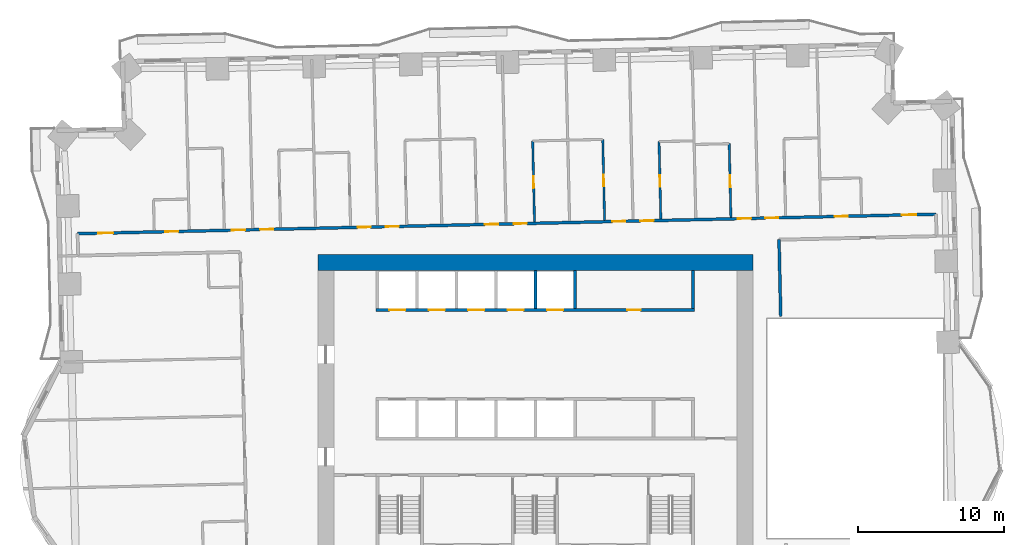
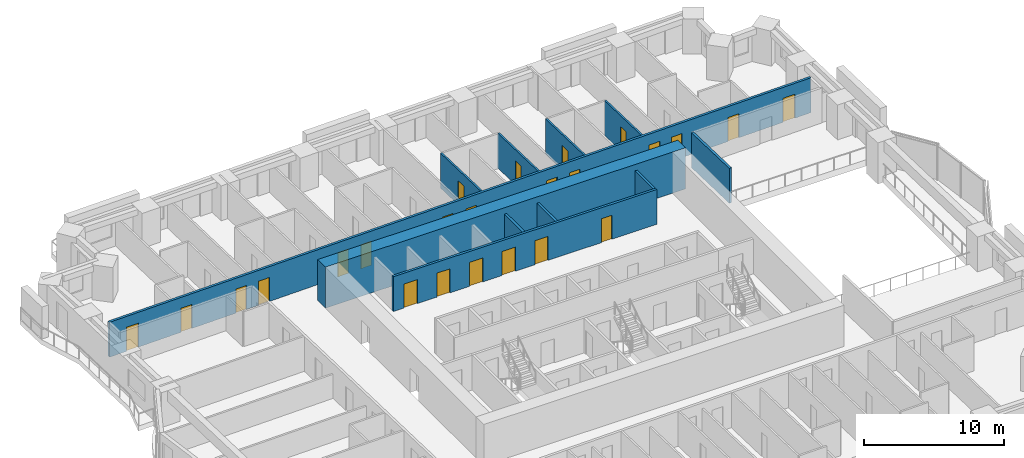
# One storey, part 10 of 16: 24 doors, 11 walls, 24 openings.
"""IFC4 building model written with IfcOpenShell, lengths in metres."""

from ifc_helpers import new_model, si_unit, direction, frame, frame_2d, origin, place, context, subcontext, project, spatial, rectangle, extrude, material, layer, layer_set, type_object, element, fill, save


model = new_model("IFC4")

# Units and contexts
model_context = context("Model", 3, precision=1e-05, world=origin(), true_north=direction((0.0, 1.0)))
body_context = subcontext(model_context, "Body", "Model", "MODEL_VIEW")
ifc_project = project(units=[si_unit("LENGTHUNIT", "METRE"), si_unit("AREAUNIT", "SQUARE_METRE"), si_unit("VOLUMEUNIT", "CUBIC_METRE"), si_unit("PLANEANGLEUNIT", "RADIAN"), si_unit("MASSUNIT", "GRAM", prefix="KILO")], contexts=[model_context])

# Site, building, storey
site_placement = place(None, origin())
site = spatial("IfcSite", under=ifc_project, at=site_placement, CompositionType="ELEMENT")
building_placement = place(site_placement, origin())
building = spatial("IfcBuilding", under=site, at=building_placement, Name="Mangrove Gate Tower", CompositionType="ELEMENT")
storey_placement = place(building_placement, frame((0.0, 0.0, 37.699951171875)))
storey = spatial("IfcBuildingStorey", under=building, at=storey_placement, Name="L08", CompositionType="ELEMENT", Elevation=37.699951171875)

# Wall
ifc_material_1 = material(Name="Concrete C32/40", Category="concrete")
ifc_layer_1 = layer(ifc_material_1, 0.199951171875)
ifc_layer_set_1 = layer_set([ifc_layer_1], Name="Core room wall 200 C32/40")
wall_type_1 = type_object("IfcWallType", Name="Core room wall 200 C32/40", PredefinedType="STANDARD", material=ifc_layer_set_1)
wall_1_placement = place(storey_placement, frame((10.800048828125, 8.199951171875, 0.0), z_axis=(0.0, 0.0, 1.0), x_axis=(0.0, 1.0, 0.0)))
element("IfcWall", 1, at=wall_1_placement, inside=storey, type_object=wall_type_1, Name="WALL-L08-CORE-33", PredefinedType="STANDARD", context=body_context, shape_type="SweptSolid", body=[
    extrude(rectangle(XDim=2.60009765625, YDim=0.199951171875, at=frame_2d((1.300048828125, 0.0))), origin(), (0.0, 0.0, 1.0), 3.050048828125),
])

# Wall, openings, doors
ifc_material_2 = material(Name="Concrete C70/85", Category="concrete")
ifc_layer_2 = layer(ifc_material_2, 0.199951171875)
ifc_layer_set_2 = layer_set([ifc_layer_2], Name="Core shaft wall 200 C70/85")
wall_type_2 = type_object("IfcWallType", Name="Core shaft wall 200 C70/85", PredefinedType="SHEAR", material=ifc_layer_set_2)
wall_2_placement = place(storey_placement, frame((-10.89990234375, 8.10009765625, 0.0), z_axis=(0.0, 0.0, 1.0), x_axis=(1.0, 0.0, 0.0)))
wall_2 = element("IfcWall", 2, at=wall_2_placement, inside=storey, type_object=wall_type_2, Name="WALL-L08-CORE-8", PredefinedType="SHEAR", context=body_context, shape_type="SweptSolid", body=[
    extrude(rectangle(XDim=21.7998046875, YDim=0.199951171875, at=frame_2d((10.89990234375, 0.0))), origin(), (0.0, 0.0, 1.0), 3.050048828125),
])
opening_1_placement = place(wall_2_placement, frame((0.89990234375, 0.0, 0.0)))
opening_1 = element("IfcOpeningElement", 3, at=opening_1_placement, cuts=wall_2, Name="Opening LD", PredefinedType="OPENING", context=body_context, shape_type="SweptSolid", body=[
    extrude(rectangle(XDim=1.10009765625, YDim=2.10009765625, at=frame_2d((0.550048828125, 1.050048828125))), frame((0.0, 0.10986328125, 0.0), z_axis=(0.0, -1.0, 0.0), x_axis=(1.0, 0.0, 0.0)), (0.0, 0.0, 1.0), 0.219970703125),
])
opening_2_placement = place(wall_2_placement, frame((3.60009765625, 0.0, 0.0)))
opening_2 = element("IfcOpeningElement", 4, at=opening_2_placement, cuts=wall_2, Name="Opening LD", PredefinedType="OPENING", context=body_context, shape_type="SweptSolid", body=[
    extrude(rectangle(XDim=1.10009765625, YDim=2.10009765625, at=frame_2d((0.550048828125, 1.050048828125))), frame((0.0, 0.10986328125, 0.0), z_axis=(0.0, -1.0, 0.0), x_axis=(1.0, 0.0, 0.0)), (0.0, 0.0, 1.0), 0.219970703125),
])
opening_3_placement = place(wall_2_placement, frame((6.300048828125, 0.0, 0.0)))
opening_3 = element("IfcOpeningElement", 5, at=opening_3_placement, cuts=wall_2, Name="Opening LD", PredefinedType="OPENING", context=body_context, shape_type="SweptSolid", body=[
    extrude(rectangle(XDim=1.10009765625, YDim=2.10009765625, at=frame_2d((0.550048828125, 1.050048828125))), frame((0.0, 0.10986328125, 0.0), z_axis=(0.0, -1.0, 0.0), x_axis=(1.0, 0.0, 0.0)), (0.0, 0.0, 1.0), 0.219970703125),
])
opening_4_placement = place(wall_2_placement, frame((9.0, 0.0, 0.0)))
opening_4 = element("IfcOpeningElement", 6, at=opening_4_placement, cuts=wall_2, Name="Opening LD", PredefinedType="OPENING", context=body_context, shape_type="SweptSolid", body=[
    extrude(rectangle(XDim=1.10009765625, YDim=2.10009765625, at=frame_2d((0.550048828125, 1.050048828125))), frame((0.0, 0.10986328125, 0.0), z_axis=(0.0, -1.0, 0.0), x_axis=(1.0, 0.0, 0.0)), (0.0, 0.0, 1.0), 0.219970703125),
])
opening_5_placement = place(wall_2_placement, frame((11.699951171875, 0.0, 0.0)))
opening_5 = element("IfcOpeningElement", 7, at=opening_5_placement, cuts=wall_2, Name="Opening LD", PredefinedType="OPENING", context=body_context, shape_type="SweptSolid", body=[
    extrude(rectangle(XDim=1.10009765625, YDim=2.10009765625, at=frame_2d((0.550048828125, 1.050048828125))), frame((0.0, 0.10986328125, 0.0), z_axis=(0.0, -1.0, 0.0), x_axis=(1.0, 0.0, 0.0)), (0.0, 0.0, 1.0), 0.219970703125),
])
opening_6_placement = place(wall_2_placement, frame((17.199951171875, 0.0, 0.0)))
opening_6 = element("IfcOpeningElement", 8, at=opening_6_placement, cuts=wall_2, Name="Opening KD", PredefinedType="OPENING", context=body_context, shape_type="SweptSolid", body=[
    extrude(rectangle(XDim=0.89990234375, YDim=2.10009765625, at=frame_2d((0.449951171875, 1.050048828125))), frame((0.0, 0.10986328125, 0.0), z_axis=(0.0, -1.0, 0.0), x_axis=(1.0, 0.0, 0.0)), (0.0, 0.0, 1.0), 0.219970703125),
])
ifc_material_3 = material(Name="Fire-rated steel door set", Category="steel")
door_type_1 = type_object("IfcDoorType", Name="Core room door FD30S 900x2100", OperationType="SINGLE_SWING_RIGHT", PredefinedType="DOOR", material=ifc_material_3)
door_1_placement = place(opening_6_placement, origin())
door_1 = element("IfcDoor", 9, at=door_1_placement, inside=storey, type_object=door_type_1, Name="Core room door Refuse store", OperationType="SINGLE_SWING_RIGHT", OverallHeight=2.10009765625, OverallWidth=0.89990234375, PredefinedType="DOOR", context=body_context, shape_type="SweptSolid", body=[
    extrude(rectangle(XDim=0.89990234375, YDim=2.10009765625, at=frame_2d((0.449951171875, 1.050048828125))), frame((0.0, 0.02490234375, 0.0), z_axis=(0.0, -1.0, 0.0), x_axis=(1.0, 0.0, 0.0)), (0.0, 0.0, 1.0), 0.050048828125),
])
fill(opening_6, door_1)
ifc_material_4 = material(Name="Stainless steel 316", Category="steel")
door_type_2 = type_object("IfcDoorType", Name="Lift landing door 1100x2100", OperationType="SLIDING_TO_LEFT", PredefinedType="DOOR", material=ifc_material_4)
door_2_placement = place(opening_1_placement, origin())
door_2 = element("IfcDoor", 10, at=door_2_placement, inside=storey, type_object=door_type_2, Name="Landing door LD P06", OperationType="SLIDING_TO_LEFT", OverallHeight=2.10009765625, OverallWidth=1.10009765625, PredefinedType="DOOR", context=body_context, shape_type="SweptSolid", body=[
    extrude(rectangle(XDim=1.10009765625, YDim=2.10009765625, at=frame_2d((0.550048828125, 1.050048828125))), frame((0.0, 0.02490234375, 0.0), z_axis=(0.0, -1.0, 0.0), x_axis=(1.0, 0.0, 0.0)), (0.0, 0.0, 1.0), 0.050048828125),
])
fill(opening_1, door_2)
door_3_placement = place(opening_2_placement, origin())
door_3 = element("IfcDoor", 11, at=door_3_placement, inside=storey, type_object=door_type_2, Name="Landing door LD P07", OperationType="SLIDING_TO_LEFT", OverallHeight=2.10009765625, OverallWidth=1.10009765625, PredefinedType="DOOR", context=body_context, shape_type="SweptSolid", body=[
    extrude(rectangle(XDim=1.10009765625, YDim=2.10009765625, at=frame_2d((0.550048828125, 1.050048828125))), frame((0.0, 0.02490234375, 0.0), z_axis=(0.0, -1.0, 0.0), x_axis=(1.0, 0.0, 0.0)), (0.0, 0.0, 1.0), 0.050048828125),
])
fill(opening_2, door_3)
door_4_placement = place(opening_3_placement, origin())
door_4 = element("IfcDoor", 12, at=door_4_placement, inside=storey, type_object=door_type_2, Name="Landing door LD P08", OperationType="SLIDING_TO_LEFT", OverallHeight=2.10009765625, OverallWidth=1.10009765625, PredefinedType="DOOR", context=body_context, shape_type="SweptSolid", body=[
    extrude(rectangle(XDim=1.10009765625, YDim=2.10009765625, at=frame_2d((0.550048828125, 1.050048828125))), frame((0.0, 0.02490234375, 0.0), z_axis=(0.0, -1.0, 0.0), x_axis=(1.0, 0.0, 0.0)), (0.0, 0.0, 1.0), 0.050048828125),
])
fill(opening_3, door_4)
door_5_placement = place(opening_4_placement, origin())
door_5 = element("IfcDoor", 13, at=door_5_placement, inside=storey, type_object=door_type_2, Name="Landing door LD P09", OperationType="SLIDING_TO_LEFT", OverallHeight=2.10009765625, OverallWidth=1.10009765625, PredefinedType="DOOR", context=body_context, shape_type="SweptSolid", body=[
    extrude(rectangle(XDim=1.10009765625, YDim=2.10009765625, at=frame_2d((0.550048828125, 1.050048828125))), frame((0.0, 0.02490234375, 0.0), z_axis=(0.0, -1.0, 0.0), x_axis=(1.0, 0.0, 0.0)), (0.0, 0.0, 1.0), 0.050048828125),
])
fill(opening_4, door_5)
door_6_placement = place(opening_5_placement, origin())
door_6 = element("IfcDoor", 14, at=door_6_placement, inside=storey, type_object=door_type_2, Name="Landing door LD P10", OperationType="SLIDING_TO_LEFT", OverallHeight=2.10009765625, OverallWidth=1.10009765625, PredefinedType="DOOR", context=body_context, shape_type="SweptSolid", body=[
    extrude(rectangle(XDim=1.10009765625, YDim=2.10009765625, at=frame_2d((0.550048828125, 1.050048828125))), frame((0.0, 0.02490234375, 0.0), z_axis=(0.0, -1.0, 0.0), x_axis=(1.0, 0.0, 0.0)), (0.0, 0.0, 1.0), 0.050048828125),
])
fill(opening_5, door_6)

# Walls
for number, where, z_axis, x_axis, name in (
    (15, (0.0, 8.199951171875, 0.0), (0.0, 0.0, 1.0), (0.0, 1.0, 0.0), "WALL-L08-CORE-31"),
    (16, (2.699951171875, 8.199951171875, 0.0), (0.0, 0.0, 1.0), (0.0, 1.0, 0.0), "WALL-L08-CORE-32"),
):
    element("IfcWall", number, at=place(storey_placement, frame(where, z_axis=z_axis, x_axis=x_axis)), inside=storey, type_object=wall_type_2, Name=name, PredefinedType="SHEAR", context=body_context, shape_type="SweptSolid", body=[
        extrude(rectangle(XDim=2.60009765625, YDim=0.199951171875, at=frame_2d((1.300048828125, 0.0))), origin(), (0.0, 0.0, 1.0), 3.050048828125),
    ])
ifc_material_5 = material(Name="Concrete C70/85", Category="concrete")
ifc_layer_3 = layer(ifc_material_5, 1.10009765625)
ifc_layer_set_3 = layer_set([ifc_layer_3], Name="Core wall 1100 C70/85")
wall_type_3 = type_object("IfcWallType", Name="Core wall 1100 C70/85", PredefinedType="SHEAR", material=ifc_layer_set_3)
wall_3_placement = place(storey_placement, frame((-14.89990234375, 11.35009765625, 0.0), z_axis=(0.0, 0.0, 1.0), x_axis=(1.0, 0.0, 0.0)))
element("IfcWall", 17, at=wall_3_placement, inside=storey, type_object=wall_type_3, Name="WALL-L08-CORE-2", PredefinedType="SHEAR", context=body_context, shape_type="SweptSolid", body=[
    extrude(rectangle(XDim=29.7998046875, YDim=1.10009765625, at=frame_2d((14.89990234375, 0.0))), origin(), (0.0, 0.0, 1.0), 3.60009765625),
])
ifc_material_6 = material(Name="Gypsum board on steel stud, EI 60", Category="steel")
ifc_layer_4 = layer(ifc_material_6, 0.199951171875)
ifc_layer_set_4 = layer_set([ifc_layer_4], Name="Corridor wall EI 60")
wall_type_4 = type_object("IfcWallType", Name="Corridor wall EI 60", PredefinedType="PARTITIONING", material=ifc_layer_set_4)
wall_4_placement = place(storey_placement, frame((16.802978515625, 7.675048828125, 0.0), z_axis=(0.0, 0.0, 1.0), x_axis=(-0.022667483124, 0.999743059595, 0.0)))
element("IfcWall", 18, at=wall_4_placement, inside=storey, type_object=wall_type_4, Name="WALL-L08-047", PredefinedType="PARTITIONING", context=body_context, shape_type="SweptSolid", body=[
    extrude(rectangle(XDim=5.245361328125, YDim=0.199951171875, at=frame_2d((2.62255859375, 0.0))), origin(), (0.0, 0.0, 1.0), 3.050048828125),
])

# Wall, openings, doors
wall_5_placement = place(storey_placement, frame((-31.346923828125, 13.3291015625, 0.0), z_axis=(0.0, 0.0, 1.0), x_axis=(0.999742613079, 0.022687168058, 0.0)))
wall_5 = element("IfcWall", 19, at=wall_5_placement, inside=storey, type_object=wall_type_4, Name="WALL-L08-056", PredefinedType="PARTITIONING", context=body_context, shape_type="SweptSolid", body=[
    extrude(rectangle(XDim=58.799072265625, YDim=0.199951171875, at=frame_2d((29.3994140625, 0.0))), origin(), (0.0, 0.0, 1.0), 3.050048828125),
])
opening_7_placement = place(wall_5_placement, frame((56.449951171875, 0.0, 0.0)))
opening_7 = element("IfcOpeningElement", 20, at=opening_7_placement, cuts=wall_5, Name="Opening AD", PredefinedType="OPENING", context=body_context, shape_type="SweptSolid", body=[
    extrude(rectangle(XDim=1.0, YDim=2.10009765625, at=frame_2d((0.5, 1.050048828125))), frame((0.0, 0.10986328125, 0.0), z_axis=(0.0, -1.0, 0.0), x_axis=(1.0, 0.0, 0.0)), (0.0, 0.0, 1.0), 0.219970703125),
])
opening_8_placement = place(wall_5_placement, frame((51.85009765625, 0.0, 0.0)))
opening_8 = element("IfcOpeningElement", 21, at=opening_8_placement, cuts=wall_5, Name="Opening SD", PredefinedType="OPENING", context=body_context, shape_type="SweptSolid", body=[
    extrude(rectangle(XDim=0.89990234375, YDim=2.10009765625, at=frame_2d((0.449951171875, 1.050048828125))), frame((0.0, 0.10986328125, 0.0), z_axis=(0.0, -1.0, 0.0), x_axis=(1.0, 0.0, 0.0)), (0.0, 0.0, 1.0), 0.219970703125),
])
opening_9_placement = place(wall_5_placement, frame((47.10009765625, 0.0, 0.0)))
opening_9 = element("IfcOpeningElement", 22, at=opening_9_placement, cuts=wall_5, Name="Opening BD", PredefinedType="OPENING", context=body_context, shape_type="SweptSolid", body=[
    extrude(rectangle(XDim=0.89990234375, YDim=2.10009765625, at=frame_2d((0.449951171875, 1.050048828125))), frame((0.0, 0.10986328125, 0.0), z_axis=(0.0, -1.0, 0.0), x_axis=(1.0, 0.0, 0.0)), (0.0, 0.0, 1.0), 0.219970703125),
])
opening_10_placement = place(wall_5_placement, frame((45.22509765625, 0.0, 0.0)))
opening_10 = element("IfcOpeningElement", 23, at=opening_10_placement, cuts=wall_5, Name="Opening BD", PredefinedType="OPENING", context=body_context, shape_type="SweptSolid", body=[
    extrude(rectangle(XDim=0.89990234375, YDim=2.10009765625, at=frame_2d((0.449951171875, 1.050048828125))), frame((0.0, 0.10986328125, 0.0), z_axis=(0.0, -1.0, 0.0), x_axis=(1.0, 0.0, 0.0)), (0.0, 0.0, 1.0), 0.219970703125),
])
opening_11_placement = place(wall_5_placement, frame((38.550048828125, 0.0, 0.0)))
opening_11 = element("IfcOpeningElement", 24, at=opening_11_placement, cuts=wall_5, Name="Opening BD", PredefinedType="OPENING", context=body_context, shape_type="SweptSolid", body=[
    extrude(rectangle(XDim=0.89990234375, YDim=2.10009765625, at=frame_2d((0.449951171875, 1.050048828125))), frame((0.0, 0.10986328125, 0.0), z_axis=(0.0, -1.0, 0.0), x_axis=(1.0, 0.0, 0.0)), (0.0, 0.0, 1.0), 0.219970703125),
])
opening_12_placement = place(wall_5_placement, frame((36.625, 0.0, 0.0)))
opening_12 = element("IfcOpeningElement", 25, at=opening_12_placement, cuts=wall_5, Name="Opening BD", PredefinedType="OPENING", context=body_context, shape_type="SweptSolid", body=[
    extrude(rectangle(XDim=0.89990234375, YDim=2.10009765625, at=frame_2d((0.449951171875, 1.050048828125))), frame((0.0, 0.10986328125, 0.0), z_axis=(0.0, -1.0, 0.0), x_axis=(1.0, 0.0, 0.0)), (0.0, 0.0, 1.0), 0.219970703125),
])
opening_13_placement = place(wall_5_placement, frame((29.875, 0.0, 0.0)))
opening_13 = element("IfcOpeningElement", 26, at=opening_13_placement, cuts=wall_5, Name="Opening BD", PredefinedType="OPENING", context=body_context, shape_type="SweptSolid", body=[
    extrude(rectangle(XDim=0.89990234375, YDim=2.10009765625, at=frame_2d((0.449951171875, 1.050048828125))), frame((0.0, 0.10986328125, 0.0), z_axis=(0.0, -1.0, 0.0), x_axis=(1.0, 0.0, 0.0)), (0.0, 0.0, 1.0), 0.219970703125),
])
opening_14_placement = place(wall_5_placement, frame((27.89990234375, 0.0, 0.0)))
opening_14 = element("IfcOpeningElement", 27, at=opening_14_placement, cuts=wall_5, Name="Opening BD", PredefinedType="OPENING", context=body_context, shape_type="SweptSolid", body=[
    extrude(rectangle(XDim=0.89990234375, YDim=2.10009765625, at=frame_2d((0.449951171875, 1.050048828125))), frame((0.0, 0.10986328125, 0.0), z_axis=(0.0, -1.0, 0.0), x_axis=(1.0, 0.0, 0.0)), (0.0, 0.0, 1.0), 0.219970703125),
])
opening_15_placement = place(wall_5_placement, frame((21.10009765625, 0.0, 0.0)))
opening_15 = element("IfcOpeningElement", 28, at=opening_15_placement, cuts=wall_5, Name="Opening BD", PredefinedType="OPENING", context=body_context, shape_type="SweptSolid", body=[
    extrude(rectangle(XDim=0.89990234375, YDim=2.10009765625, at=frame_2d((0.449951171875, 1.050048828125))), frame((0.0, 0.10986328125, 0.0), z_axis=(0.0, -1.0, 0.0), x_axis=(1.0, 0.0, 0.0)), (0.0, 0.0, 1.0), 0.219970703125),
])
opening_16_placement = place(wall_5_placement, frame((19.175048828125, 0.0, 0.0)))
opening_16 = element("IfcOpeningElement", 29, at=opening_16_placement, cuts=wall_5, Name="Opening BD", PredefinedType="OPENING", context=body_context, shape_type="SweptSolid", body=[
    extrude(rectangle(XDim=0.89990234375, YDim=2.10009765625, at=frame_2d((0.449951171875, 1.050048828125))), frame((0.0, 0.10986328125, 0.0), z_axis=(0.0, -1.0, 0.0), x_axis=(1.0, 0.0, 0.0)), (0.0, 0.0, 1.0), 0.219970703125),
])
opening_17_placement = place(wall_5_placement, frame((12.5, 0.0, 0.0)))
opening_17 = element("IfcOpeningElement", 30, at=opening_17_placement, cuts=wall_5, Name="Opening BD", PredefinedType="OPENING", context=body_context, shape_type="SweptSolid", body=[
    extrude(rectangle(XDim=0.89990234375, YDim=2.10009765625, at=frame_2d((0.449951171875, 1.050048828125))), frame((0.0, 0.10986328125, 0.0), z_axis=(0.0, -1.0, 0.0), x_axis=(1.0, 0.0, 0.0)), (0.0, 0.0, 1.0), 0.219970703125),
])
opening_18_placement = place(wall_5_placement, frame((10.574951171875, 0.0, 0.0)))
opening_18 = element("IfcOpeningElement", 31, at=opening_18_placement, cuts=wall_5, Name="Opening BD", PredefinedType="OPENING", context=body_context, shape_type="SweptSolid", body=[
    extrude(rectangle(XDim=0.89990234375, YDim=2.10009765625, at=frame_2d((0.449951171875, 1.050048828125))), frame((0.0, 0.10986328125, 0.0), z_axis=(0.0, -1.0, 0.0), x_axis=(1.0, 0.0, 0.0)), (0.0, 0.0, 1.0), 0.219970703125),
])
opening_19_placement = place(wall_5_placement, frame((1.425048828125, 0.0, 0.0)))
opening_19 = element("IfcOpeningElement", 32, at=opening_19_placement, cuts=wall_5, Name="Opening AD", PredefinedType="OPENING", context=body_context, shape_type="SweptSolid", body=[
    extrude(rectangle(XDim=1.0, YDim=2.10009765625, at=frame_2d((0.5, 1.050048828125))), frame((0.0, 0.10986328125, 0.0), z_axis=(0.0, -1.0, 0.0), x_axis=(1.0, 0.0, 0.0)), (0.0, 0.0, 1.0), 0.219970703125),
])
opening_20_placement = place(wall_5_placement, frame((6.0, 0.0, 0.0)))
opening_20 = element("IfcOpeningElement", 33, at=opening_20_placement, cuts=wall_5, Name="Opening SD", PredefinedType="OPENING", context=body_context, shape_type="SweptSolid", body=[
    extrude(rectangle(XDim=0.89990234375, YDim=2.10009765625, at=frame_2d((0.449951171875, 1.050048828125))), frame((0.0, 0.10986328125, 0.0), z_axis=(0.0, -1.0, 0.0), x_axis=(1.0, 0.0, 0.0)), (0.0, 0.0, 1.0), 0.219970703125),
])
ifc_material_7 = material(Name="Timber door leaf", Category="wood")
door_type_3 = type_object("IfcDoorType", Name="Amenity door 1000", OperationType="SINGLE_SWING_LEFT", PredefinedType="DOOR", material=ifc_material_7)
door_7_placement = place(opening_7_placement, origin())
door_7 = element("IfcDoor", 34, at=door_7_placement, inside=storey, type_object=door_type_3, Name="DOOR-L08-GAM-c3c", OperationType="SINGLE_SWING_LEFT", OverallHeight=2.10009765625, OverallWidth=1.0, PredefinedType="DOOR", context=body_context, shape_type="SweptSolid", body=[
    extrude(rectangle(XDim=1.0, YDim=2.10009765625, at=frame_2d((0.5, 1.050048828125))), frame((0.0, 0.02490234375, 0.0), z_axis=(0.0, -1.0, 0.0), x_axis=(1.0, 0.0, 0.0)), (0.0, 0.0, 1.0), 0.050048828125),
])
fill(opening_7, door_7)
door_8_placement = place(opening_19_placement, origin())
door_8 = element("IfcDoor", 35, at=door_8_placement, inside=storey, type_object=door_type_3, Name="DOOR-L08-GAM-c5a", OperationType="SINGLE_SWING_RIGHT", OverallHeight=2.10009765625, OverallWidth=1.0, PredefinedType="DOOR", context=body_context, shape_type="SweptSolid", body=[
    extrude(rectangle(XDim=1.0, YDim=2.10009765625, at=frame_2d((0.5, 1.050048828125))), frame((0.0, 0.02490234375, 0.0), z_axis=(0.0, -1.0, 0.0), x_axis=(1.0, 0.0, 0.0)), (0.0, 0.0, 1.0), 0.050048828125),
])
fill(opening_19, door_8)
ifc_material_8 = material(Name="Timber door leaf", Category="wood")
door_type_4 = type_object("IfcDoorType", Name="Bedroom door 900", OperationType="SINGLE_SWING_LEFT", PredefinedType="DOOR", material=ifc_material_8)
door_9_placement = place(opening_9_placement, origin())
door_9 = element("IfcDoor", 36, at=door_9_placement, inside=storey, type_object=door_type_4, Name="DOOR-L08-BED-c310", OperationType="SINGLE_SWING_RIGHT", OverallHeight=2.10009765625, OverallWidth=0.89990234375, PredefinedType="DOOR", context=body_context, shape_type="SweptSolid", body=[
    extrude(rectangle(XDim=0.89990234375, YDim=2.10009765625, at=frame_2d((0.449951171875, 1.050048828125))), frame((0.0, 0.02490234375, 0.0), z_axis=(0.0, -1.0, 0.0), x_axis=(1.0, 0.0, 0.0)), (0.0, 0.0, 1.0), 0.050048828125),
])
fill(opening_9, door_9)
door_10_placement = place(opening_10_placement, origin())
door_10 = element("IfcDoor", 37, at=door_10_placement, inside=storey, type_object=door_type_4, Name="DOOR-L08-BED-c311", OperationType="SINGLE_SWING_LEFT", OverallHeight=2.10009765625, OverallWidth=0.89990234375, PredefinedType="DOOR", context=body_context, shape_type="SweptSolid", body=[
    extrude(rectangle(XDim=0.89990234375, YDim=2.10009765625, at=frame_2d((0.449951171875, 1.050048828125))), frame((0.0, 0.02490234375, 0.0), z_axis=(0.0, -1.0, 0.0), x_axis=(1.0, 0.0, 0.0)), (0.0, 0.0, 1.0), 0.050048828125),
])
fill(opening_10, door_10)
door_11_placement = place(opening_11_placement, origin())
door_11 = element("IfcDoor", 38, at=door_11_placement, inside=storey, type_object=door_type_4, Name="DOOR-L08-BED-c312", OperationType="SINGLE_SWING_RIGHT", OverallHeight=2.10009765625, OverallWidth=0.89990234375, PredefinedType="DOOR", context=body_context, shape_type="SweptSolid", body=[
    extrude(rectangle(XDim=0.89990234375, YDim=2.10009765625, at=frame_2d((0.449951171875, 1.050048828125))), frame((0.0, 0.02490234375, 0.0), z_axis=(0.0, -1.0, 0.0), x_axis=(1.0, 0.0, 0.0)), (0.0, 0.0, 1.0), 0.050048828125),
])
fill(opening_11, door_11)
door_12_placement = place(opening_12_placement, origin())
door_12 = element("IfcDoor", 39, at=door_12_placement, inside=storey, type_object=door_type_4, Name="DOOR-L08-BED-c413", OperationType="SINGLE_SWING_LEFT", OverallHeight=2.10009765625, OverallWidth=0.89990234375, PredefinedType="DOOR", context=body_context, shape_type="SweptSolid", body=[
    extrude(rectangle(XDim=0.89990234375, YDim=2.10009765625, at=frame_2d((0.449951171875, 1.050048828125))), frame((0.0, 0.02490234375, 0.0), z_axis=(0.0, -1.0, 0.0), x_axis=(1.0, 0.0, 0.0)), (0.0, 0.0, 1.0), 0.050048828125),
])
fill(opening_12, door_12)
door_13_placement = place(opening_13_placement, origin())
door_13 = element("IfcDoor", 40, at=door_13_placement, inside=storey, type_object=door_type_4, Name="DOOR-L08-BED-c414", OperationType="SINGLE_SWING_RIGHT", OverallHeight=2.10009765625, OverallWidth=0.89990234375, PredefinedType="DOOR", context=body_context, shape_type="SweptSolid", body=[
    extrude(rectangle(XDim=0.89990234375, YDim=2.10009765625, at=frame_2d((0.449951171875, 1.050048828125))), frame((0.0, 0.02490234375, 0.0), z_axis=(0.0, -1.0, 0.0), x_axis=(1.0, 0.0, 0.0)), (0.0, 0.0, 1.0), 0.050048828125),
])
fill(opening_13, door_13)
door_14_placement = place(opening_14_placement, origin())
door_14 = element("IfcDoor", 41, at=door_14_placement, inside=storey, type_object=door_type_4, Name="DOOR-L08-BED-c415", OperationType="SINGLE_SWING_LEFT", OverallHeight=2.10009765625, OverallWidth=0.89990234375, PredefinedType="DOOR", context=body_context, shape_type="SweptSolid", body=[
    extrude(rectangle(XDim=0.89990234375, YDim=2.10009765625, at=frame_2d((0.449951171875, 1.050048828125))), frame((0.0, 0.02490234375, 0.0), z_axis=(0.0, -1.0, 0.0), x_axis=(1.0, 0.0, 0.0)), (0.0, 0.0, 1.0), 0.050048828125),
])
fill(opening_14, door_14)
door_15_placement = place(opening_15_placement, origin())
door_15 = element("IfcDoor", 42, at=door_15_placement, inside=storey, type_object=door_type_4, Name="DOOR-L08-BED-c416", OperationType="SINGLE_SWING_RIGHT", OverallHeight=2.10009765625, OverallWidth=0.89990234375, PredefinedType="DOOR", context=body_context, shape_type="SweptSolid", body=[
    extrude(rectangle(XDim=0.89990234375, YDim=2.10009765625, at=frame_2d((0.449951171875, 1.050048828125))), frame((0.0, 0.02490234375, 0.0), z_axis=(0.0, -1.0, 0.0), x_axis=(1.0, 0.0, 0.0)), (0.0, 0.0, 1.0), 0.050048828125),
])
fill(opening_15, door_15)
door_16_placement = place(opening_16_placement, origin())
door_16 = element("IfcDoor", 43, at=door_16_placement, inside=storey, type_object=door_type_4, Name="DOOR-L08-BED-c517", OperationType="SINGLE_SWING_LEFT", OverallHeight=2.10009765625, OverallWidth=0.89990234375, PredefinedType="DOOR", context=body_context, shape_type="SweptSolid", body=[
    extrude(rectangle(XDim=0.89990234375, YDim=2.10009765625, at=frame_2d((0.449951171875, 1.050048828125))), frame((0.0, 0.02490234375, 0.0), z_axis=(0.0, -1.0, 0.0), x_axis=(1.0, 0.0, 0.0)), (0.0, 0.0, 1.0), 0.050048828125),
])
fill(opening_16, door_16)
door_17_placement = place(opening_17_placement, origin())
door_17 = element("IfcDoor", 44, at=door_17_placement, inside=storey, type_object=door_type_4, Name="DOOR-L08-BED-c518", OperationType="SINGLE_SWING_RIGHT", OverallHeight=2.10009765625, OverallWidth=0.89990234375, PredefinedType="DOOR", context=body_context, shape_type="SweptSolid", body=[
    extrude(rectangle(XDim=0.89990234375, YDim=2.10009765625, at=frame_2d((0.449951171875, 1.050048828125))), frame((0.0, 0.02490234375, 0.0), z_axis=(0.0, -1.0, 0.0), x_axis=(1.0, 0.0, 0.0)), (0.0, 0.0, 1.0), 0.050048828125),
])
fill(opening_17, door_17)
door_18_placement = place(opening_18_placement, origin())
door_18 = element("IfcDoor", 45, at=door_18_placement, inside=storey, type_object=door_type_4, Name="DOOR-L08-BED-c519", OperationType="SINGLE_SWING_LEFT", OverallHeight=2.10009765625, OverallWidth=0.89990234375, PredefinedType="DOOR", context=body_context, shape_type="SweptSolid", body=[
    extrude(rectangle(XDim=0.89990234375, YDim=2.10009765625, at=frame_2d((0.449951171875, 1.050048828125))), frame((0.0, 0.02490234375, 0.0), z_axis=(0.0, -1.0, 0.0), x_axis=(1.0, 0.0, 0.0)), (0.0, 0.0, 1.0), 0.050048828125),
])
fill(opening_18, door_18)
ifc_material_9 = material(Name="Timber door leaf", Category="wood")
door_type_5 = type_object("IfcDoorType", Name="Service room door 900", OperationType="SINGLE_SWING_LEFT", PredefinedType="DOOR", material=ifc_material_9)
door_19_placement = place(opening_8_placement, origin())
door_19 = element("IfcDoor", 46, at=door_19_placement, inside=storey, type_object=door_type_5, Name="DOOR-L08-LDY-c3a", OperationType="SINGLE_SWING_RIGHT", OverallHeight=2.10009765625, OverallWidth=0.89990234375, PredefinedType="DOOR", context=body_context, shape_type="SweptSolid", body=[
    extrude(rectangle(XDim=0.89990234375, YDim=2.10009765625, at=frame_2d((0.449951171875, 1.050048828125))), frame((0.0, 0.02490234375, 0.0), z_axis=(0.0, -1.0, 0.0), x_axis=(1.0, 0.0, 0.0)), (0.0, 0.0, 1.0), 0.050048828125),
])
fill(opening_8, door_19)
door_20_placement = place(opening_20_placement, origin())
door_20 = element("IfcDoor", 47, at=door_20_placement, inside=storey, type_object=door_type_5, Name="DOOR-L08-LIN-c5a", OperationType="SINGLE_SWING_LEFT", OverallHeight=2.10009765625, OverallWidth=0.89990234375, PredefinedType="DOOR", context=body_context, shape_type="SweptSolid", body=[
    extrude(rectangle(XDim=0.89990234375, YDim=2.10009765625, at=frame_2d((0.449951171875, 1.050048828125))), frame((0.0, 0.02490234375, 0.0), z_axis=(0.0, -1.0, 0.0), x_axis=(1.0, 0.0, 0.0)), (0.0, 0.0, 1.0), 0.050048828125),
])
fill(opening_20, door_20)

# Wall, opening, door
ifc_material_10 = material(Name="Gypsum board on steel stud, EI 60", Category="steel")
ifc_layer_5 = layer(ifc_material_10, 0.14990234375)
ifc_layer_set_5 = layer_set([ifc_layer_5], Name="Party wall 150 EI 60")
wall_type_5 = type_object("IfcWallType", Name="Party wall 150 EI 60", PredefinedType="PARTITIONING", material=ifc_layer_set_5)
wall_6_placement = place(storey_placement, frame((-0.05810546875, 14.138916015625, 0.0), z_axis=(0.0, 0.0, 1.0), x_axis=(-0.02273742063, 0.999741471433, 0.0)))
wall_6 = element("IfcWall", 48, at=wall_6_placement, inside=storey, type_object=wall_type_5, Name="WALL-L08-069", PredefinedType="PARTITIONING", context=body_context, shape_type="SweptSolid", body=[
    extrude(rectangle(XDim=5.54052734375, YDim=0.14990234375, at=frame_2d((2.770263671875, 0.0))), origin(), (0.0, 0.0, 1.0), 3.050048828125),
])
opening_21_placement = place(wall_6_placement, frame((2.320068359375, 0.0, 0.0)))
opening_21 = element("IfcOpeningElement", 49, at=opening_21_placement, cuts=wall_6, Name="Opening ED", PredefinedType="OPENING", context=body_context, shape_type="SweptSolid", body=[
    extrude(rectangle(XDim=0.800048828125, YDim=2.10009765625, at=frame_2d((0.39990234375, 1.050048828125))), frame((0.0, 0.0849609375, 0.0), z_axis=(0.0, -1.0, 0.0), x_axis=(1.0, 0.0, 0.0)), (0.0, 0.0, 1.0), 0.169921875),
])
ifc_material_11 = material(Name="Timber door leaf", Category="wood")
door_type_6 = type_object("IfcDoorType", Name="En-suite door 800", OperationType="SINGLE_SWING_LEFT", PredefinedType="DOOR", material=ifc_material_11)
door_21_placement = place(opening_21_placement, origin())
door_21 = element("IfcDoor", 50, at=door_21_placement, inside=storey, type_object=door_type_6, Name="DOOR-L08-ENS-c414", OperationType="SINGLE_SWING_RIGHT", OverallHeight=2.10009765625, OverallWidth=0.800048828125, PredefinedType="DOOR", context=body_context, shape_type="SweptSolid", body=[
    extrude(rectangle(XDim=0.800048828125, YDim=2.10009765625, at=frame_2d((0.39990234375, 1.050048828125))), frame((0.0, 0.02490234375, 0.0), z_axis=(0.0, -1.0, 0.0), x_axis=(1.0, 0.0, 0.0)), (0.0, 0.0, 1.0), 0.050048828125),
])
fill(opening_21, door_21)

wall_7_placement = place(storey_placement, frame((4.740966796875, 14.248046875, 0.0), z_axis=(0.0, 0.0, 1.0), x_axis=(-0.02273742063, 0.999741471433, 0.0)))
wall_7 = element("IfcWall", 51, at=wall_7_placement, inside=storey, type_object=wall_type_5, Name="WALL-L08-071", PredefinedType="PARTITIONING", context=body_context, shape_type="SweptSolid", body=[
    extrude(rectangle(XDim=5.54052734375, YDim=0.14990234375, at=frame_2d((2.770263671875, 0.0))), origin(), (0.0, 0.0, 1.0), 3.050048828125),
])
opening_22_placement = place(wall_7_placement, frame((2.320068359375, 0.0, 0.0)))
opening_22 = element("IfcOpeningElement", 52, at=opening_22_placement, cuts=wall_7, Name="Opening ED", PredefinedType="OPENING", context=body_context, shape_type="SweptSolid", body=[
    extrude(rectangle(XDim=0.800048828125, YDim=2.10009765625, at=frame_2d((0.39990234375, 1.050048828125))), frame((0.0, 0.0849609375, 0.0), z_axis=(0.0, -1.0, 0.0), x_axis=(1.0, 0.0, 0.0)), (0.0, 0.0, 1.0), 0.169921875),
])
door_22_placement = place(opening_22_placement, origin())
door_22 = element("IfcDoor", 53, at=door_22_placement, inside=storey, type_object=door_type_6, Name="DOOR-L08-ENS-c413", OperationType="SINGLE_SWING_LEFT", OverallHeight=2.10009765625, OverallWidth=0.800048828125, PredefinedType="DOOR", context=body_context, shape_type="SweptSolid", body=[
    extrude(rectangle(XDim=0.800048828125, YDim=2.10009765625, at=frame_2d((0.39990234375, 1.050048828125))), frame((0.0, 0.02490234375, 0.0), z_axis=(0.0, -1.0, 0.0), x_axis=(1.0, 0.0, 0.0)), (0.0, 0.0, 1.0), 0.050048828125),
])
fill(opening_22, door_22)

wall_8_placement = place(storey_placement, frame((8.590087890625, 14.3349609375, 0.0), z_axis=(0.0, 0.0, 1.0), x_axis=(-0.022661766832, 0.999743189186, 0.0)))
wall_8 = element("IfcWall", 54, at=wall_8_placement, inside=storey, type_object=wall_type_5, Name="WALL-L08-073", PredefinedType="PARTITIONING", context=body_context, shape_type="SweptSolid", body=[
    extrude(rectangle(XDim=5.300537109375, YDim=0.14990234375, at=frame_2d((2.650390625, 0.0))), origin(), (0.0, 0.0, 1.0), 3.050048828125),
])
opening_23_placement = place(wall_8_placement, frame((2.199951171875, 0.0, 0.0)))
opening_23 = element("IfcOpeningElement", 55, at=opening_23_placement, cuts=wall_8, Name="Opening ED", PredefinedType="OPENING", context=body_context, shape_type="SweptSolid", body=[
    extrude(rectangle(XDim=0.800048828125, YDim=2.10009765625, at=frame_2d((0.39990234375, 1.050048828125))), frame((0.0, 0.0849609375, 0.0), z_axis=(0.0, -1.0, 0.0), x_axis=(1.0, 0.0, 0.0)), (0.0, 0.0, 1.0), 0.169921875),
])
door_23_placement = place(opening_23_placement, origin())
door_23 = element("IfcDoor", 56, at=door_23_placement, inside=storey, type_object=door_type_6, Name="DOOR-L08-ENS-c312", OperationType="SINGLE_SWING_RIGHT", OverallHeight=2.10009765625, OverallWidth=0.800048828125, PredefinedType="DOOR", context=body_context, shape_type="SweptSolid", body=[
    extrude(rectangle(XDim=0.800048828125, YDim=2.10009765625, at=frame_2d((0.39990234375, 1.050048828125))), frame((0.0, 0.02490234375, 0.0), z_axis=(0.0, -1.0, 0.0), x_axis=(1.0, 0.0, 0.0)), (0.0, 0.0, 1.0), 0.050048828125),
])
fill(opening_23, door_23)

wall_9_placement = place(storey_placement, frame((13.388916015625, 14.444091796875, 0.0), z_axis=(0.0, 0.0, 1.0), x_axis=(-0.022769723731, 0.999740736232, 0.0)))
wall_9 = element("IfcWall", 57, at=wall_9_placement, inside=storey, type_object=wall_type_5, Name="WALL-L08-075", PredefinedType="PARTITIONING", context=body_context, shape_type="SweptSolid", body=[
    extrude(rectangle(XDim=5.050048828125, YDim=0.14990234375, at=frame_2d((2.52490234375, 0.0))), origin(), (0.0, 0.0, 1.0), 3.050048828125),
])
opening_24_placement = place(wall_9_placement, frame((2.074951171875, 0.0, 0.0)))
opening_24 = element("IfcOpeningElement", 58, at=opening_24_placement, cuts=wall_9, Name="Opening ED", PredefinedType="OPENING", context=body_context, shape_type="SweptSolid", body=[
    extrude(rectangle(XDim=0.800048828125, YDim=2.10009765625, at=frame_2d((0.39990234375, 1.050048828125))), frame((0.0, 0.0849609375, 0.0), z_axis=(0.0, -1.0, 0.0), x_axis=(1.0, 0.0, 0.0)), (0.0, 0.0, 1.0), 0.169921875),
])
door_24_placement = place(opening_24_placement, origin())
door_24 = element("IfcDoor", 59, at=door_24_placement, inside=storey, type_object=door_type_6, Name="DOOR-L08-ENS-c311", OperationType="SINGLE_SWING_LEFT", OverallHeight=2.10009765625, OverallWidth=0.800048828125, PredefinedType="DOOR", context=body_context, shape_type="SweptSolid", body=[
    extrude(rectangle(XDim=0.800048828125, YDim=2.10009765625, at=frame_2d((0.39990234375, 1.050048828125))), frame((0.0, 0.02490234375, 0.0), z_axis=(0.0, -1.0, 0.0), x_axis=(1.0, 0.0, 0.0)), (0.0, 0.0, 1.0), 0.050048828125),
])
fill(opening_24, door_24)

save(model, "model.ifc")
